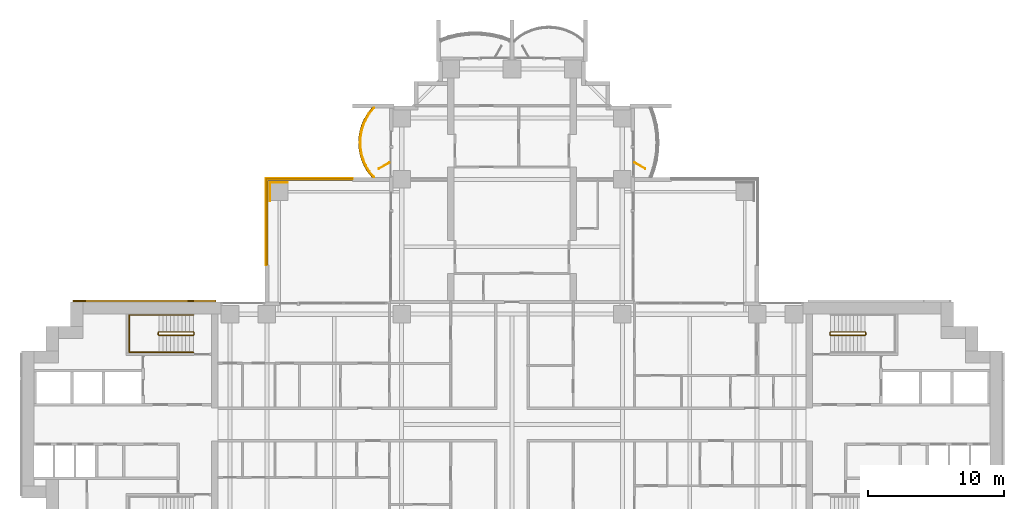
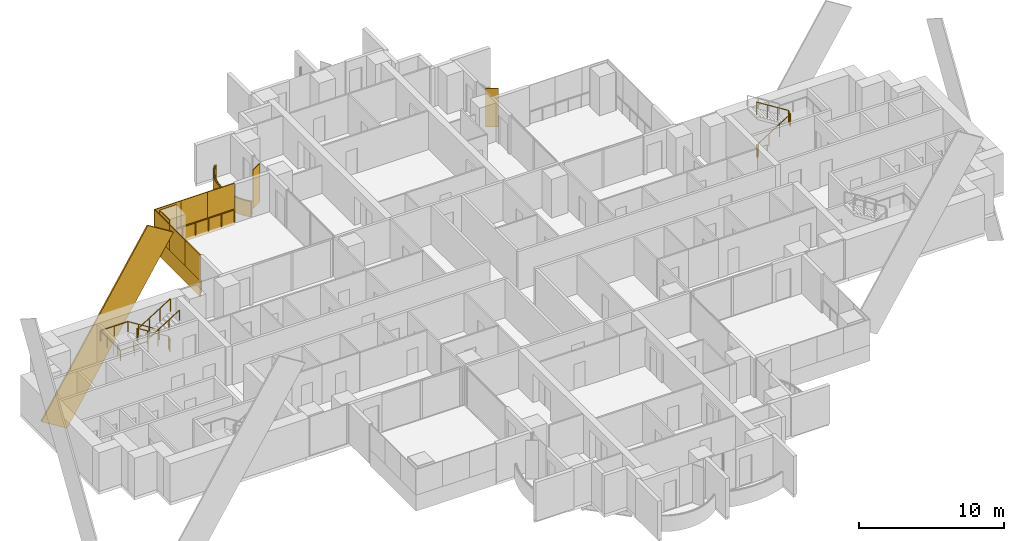
# One storey, part 20 of 21: 11 coverings, 5 railings, 2 shading devices.
"""IFC4 building model written with IfcOpenShell, lengths in metres."""

from ifc_helpers import new_model, si_unit, direction, frame, origin, origin_2d, place, context, subcontext, project, spatial, polyline, rectangle, outline, extrude, material, layer, layer_set, material_profile, profile_set, type_object, element, save


model = new_model("IFC4")

# Units and contexts
model_context = context("Model", 3, precision=1e-05, world=origin(), true_north=direction((0.0, 1.0)))
body_context = subcontext(model_context, "Body", "Model", "MODEL_VIEW")
ifc_project = project(units=[si_unit("LENGTHUNIT", "METRE"), si_unit("AREAUNIT", "SQUARE_METRE"), si_unit("VOLUMEUNIT", "CUBIC_METRE"), si_unit("PLANEANGLEUNIT", "RADIAN"), si_unit("MASSUNIT", "GRAM", prefix="KILO")], contexts=[model_context])

# Site, building, storey
site_placement = place(None, origin())
site = spatial("IfcSite", under=ifc_project, at=site_placement, CompositionType="ELEMENT")
building_placement = place(site_placement, origin())
building = spatial("IfcBuilding", under=site, at=building_placement, Name="Perihelion Cross Residences", CompositionType="ELEMENT")
storey_placement = place(building_placement, frame((0.0, 0.0, 75.0)))
storey = spatial("IfcBuildingStorey", under=building, at=storey_placement, Name="L16", CompositionType="ELEMENT", Elevation=75.0)

# Covering
ifc_material_1 = material(Name="Bronze anodised aluminium", Category="aluminium")
ifc_layer_1 = layer(ifc_material_1, 0.070068359375)
ifc_layer_set_1 = layer_set([ifc_layer_1], Name="Balcony fascia 1300")
covering_type_1 = type_object("IfcCoveringType", Name="Balcony fascia 1300", PredefinedType="CLADDING", material=ifc_layer_set_1)
covering_1_placement = place(storey_placement, frame((0.0, 0.0, -0.199951171875)))
element("IfcCovering", 1, at=covering_1_placement, inside=storey, type_object=covering_type_1, Name="Fascia BF1 L16 north side west bay 1", PredefinedType="CLADDING", context=body_context, shape_type="SweptSolid", body=[
    extrude(outline(polyline([(-10.59765625, 22.86474609375), (-10.85498046875, 22.431884765625), (-11.04248046875, 21.998779296875), (-11.170654296875, 21.56591796875), (-11.245361328125, 21.133056640625), (-11.27001953125, 20.699951171875), (-11.245361328125, 20.26708984375), (-11.170654296875, 19.833984375), (-11.04248046875, 19.401123046875), (-10.85498046875, 18.96826171875), (-10.59765625, 18.53515625), (-10.28955078125, 18.14990234375), (-10.199951171875, 18.14990234375), (-10.5400390625, 18.574951171875), (-10.792724609375, 19.0), (-10.9765625, 19.425048828125), (-11.1025390625, 19.85009765625), (-11.17578125, 20.27490234375), (-11.199951171875, 20.699951171875), (-11.17578125, 21.125), (-11.1025390625, 21.550048828125), (-10.9765625, 21.97509765625), (-10.792724609375, 22.39990234375), (-10.5400390625, 22.824951171875), (-10.199951171875, 23.25), (-10.28955078125, 23.25), (-10.59765625, 22.86474609375)])), origin(), (0.0, 0.0, 1.0), 1.300048828125),
])

# Railings
ifc_material_2 = material(Name="Bronze anodised aluminium", Category="aluminium")
railing_type_1 = type_object("IfcRailingType", Name="Balcony guard 1100", PredefinedType="GUARDRAIL", material=ifc_material_2)
railing_1_placement = place(storey_placement, frame((-10.139892578125, 23.22509765625, 0.0)))
element("IfcRailing", 2, at=railing_1_placement, inside=storey, type_object=railing_type_1, Name="Guard GU1 L16 north side west bay 1 balcony", PredefinedType="GUARDRAIL", context=body_context, shape_type="SweptSolid", body=[
    extrude(rectangle(XDim=0.048095703125, YDim=0.048095703125, at=origin_2d()), frame((0.0, 0.0, 1.076171875), z_axis=(-0.647607934281, -0.761973728849, 0.0), x_axis=(0.761973728849, -0.647607934281, 0.0)), (0.0, 0.0, 1.0), 0.525146484375),
    extrude(rectangle(XDim=0.048095703125, YDim=0.048095703125, at=origin_2d()), frame((-0.340087890625, -0.400146484375, 1.076171875), z_axis=(-0.511006381501, -0.859576918062, 0.0), x_axis=(0.859576918062, -0.511006381501, 0.0)), (0.0, 0.0, 1.0), 0.494384765625),
    extrude(rectangle(XDim=0.048095703125, YDim=0.048095703125, at=origin_2d()), frame((-0.5927734375, -0.8251953125, 1.076171875), z_axis=(-0.397607437634, -0.91755562531, 0.0), x_axis=(0.91755562531, -0.397607437634, 0.0)), (0.0, 0.0, 1.0), 0.462890625),
    extrude(rectangle(XDim=0.048095703125, YDim=0.048095703125, at=origin_2d()), frame((-0.77685546875, -1.25, 1.076171875), z_axis=(-0.283656975924, -0.958925815697, 0.0), x_axis=(0.958925815697, -0.283656975924, 0.0)), (0.0, 0.0, 1.0), 0.443359375),
    extrude(rectangle(XDim=0.048095703125, YDim=0.048095703125, at=origin_2d()), frame((-0.902587890625, -1.675048828125, 1.076171875), z_axis=(-0.17036177859, -0.985381583142, 0.0), x_axis=(0.985381583142, -0.17036177859, 0.0)), (0.0, 0.0, 1.0), 0.431396484375),
    extrude(rectangle(XDim=0.048095703125, YDim=0.048095703125, at=origin_2d()), frame((-0.97607421875, -2.10009765625, 1.076171875), z_axis=(-0.056200523353, -0.9984195016, 0.0), x_axis=(0.9984195016, -0.056200523353, 0.0)), (0.0, 0.0, 1.0), 0.42578125),
    extrude(rectangle(XDim=0.048095703125, YDim=0.048095703125, at=origin_2d()), frame((-1.0, -2.525146484375, 1.076171875), z_axis=(0.056200523353, -0.9984195016, 0.0), x_axis=(0.9984195016, 0.056200523353, 0.0)), (0.0, 0.0, 1.0), 0.42578125),
    extrude(rectangle(XDim=0.048095703125, YDim=0.048095703125, at=origin_2d()), frame((-0.97607421875, -2.9501953125, 1.076171875), z_axis=(0.170456843651, -0.985365142702, 0.0), x_axis=(0.985365142702, 0.170456843651, 0.0)), (0.0, 0.0, 1.0), 0.43115234375),
    extrude(rectangle(XDim=0.048095703125, YDim=0.048095703125, at=origin_2d()), frame((-0.902587890625, -3.375, 1.076171875), z_axis=(0.283656975924, -0.958925815697, 0.0), x_axis=(0.958925815697, 0.283656975924, 0.0)), (0.0, 0.0, 1.0), 0.443359375),
    extrude(rectangle(XDim=0.048095703125, YDim=0.048095703125, at=origin_2d()), frame((-0.77685546875, -3.800048828125, 1.076171875), z_axis=(0.397415137459, -0.917638931453, 0.0), x_axis=(0.917638931453, 0.397415137459, 0.0)), (0.0, 0.0, 1.0), 0.463134765625),
    extrude(rectangle(XDim=0.048095703125, YDim=0.048095703125, at=origin_2d()), frame((-0.5927734375, -4.22509765625, 1.076171875), z_axis=(0.511006381501, -0.859576918062, 0.0), x_axis=(0.859576918062, 0.511006381501, 0.0)), (0.0, 0.0, 1.0), 0.494384765625),
    extrude(rectangle(XDim=0.048095703125, YDim=0.048095703125, at=origin_2d()), frame((-0.340087890625, -4.650146484375, 1.076171875), z_axis=(0.647837396648, -0.761778647315, 0.0), x_axis=(0.761778647315, 0.647837396648, 0.0)), (0.0, 0.0, 1.0), 0.52490234375),
    extrude(rectangle(XDim=0.0419921875, YDim=0.0419921875, at=origin_2d()), origin(), (0.0, 0.0, 1.0), 1.052001953125),
    extrude(rectangle(XDim=0.0419921875, YDim=0.0419921875, at=origin_2d()), frame((-0.340087890625, -0.400146484375, 0.0)), (0.0, 0.0, 1.0), 1.052001953125),
    extrude(rectangle(XDim=0.0419921875, YDim=0.0419921875, at=origin_2d()), frame((-0.5927734375, -0.8251953125, 0.0)), (0.0, 0.0, 1.0), 1.052001953125),
    extrude(rectangle(XDim=0.0419921875, YDim=0.0419921875, at=origin_2d()), frame((-0.77685546875, -1.25, 0.0)), (0.0, 0.0, 1.0), 1.052001953125),
    extrude(rectangle(XDim=0.0419921875, YDim=0.0419921875, at=origin_2d()), frame((-0.902587890625, -1.675048828125, 0.0)), (0.0, 0.0, 1.0), 1.052001953125),
    extrude(rectangle(XDim=0.0419921875, YDim=0.0419921875, at=origin_2d()), frame((-0.97607421875, -2.10009765625, 0.0)), (0.0, 0.0, 1.0), 1.052001953125),
    extrude(rectangle(XDim=0.0419921875, YDim=0.0419921875, at=origin_2d()), frame((-1.0, -2.525146484375, 0.0)), (0.0, 0.0, 1.0), 1.052001953125),
    extrude(rectangle(XDim=0.0419921875, YDim=0.0419921875, at=origin_2d()), frame((-0.97607421875, -2.9501953125, 0.0)), (0.0, 0.0, 1.0), 1.052001953125),
    extrude(rectangle(XDim=0.0419921875, YDim=0.0419921875, at=origin_2d()), frame((-0.902587890625, -3.375, 0.0)), (0.0, 0.0, 1.0), 1.052001953125),
    extrude(rectangle(XDim=0.0419921875, YDim=0.0419921875, at=origin_2d()), frame((-0.77685546875, -3.800048828125, 0.0)), (0.0, 0.0, 1.0), 1.052001953125),
    extrude(rectangle(XDim=0.0419921875, YDim=0.0419921875, at=origin_2d()), frame((-0.5927734375, -4.22509765625, 0.0)), (0.0, 0.0, 1.0), 1.052001953125),
    extrude(rectangle(XDim=0.0419921875, YDim=0.0419921875, at=origin_2d()), frame((-0.340087890625, -4.650146484375, 0.0)), (0.0, 0.0, 1.0), 1.052001953125),
    extrude(rectangle(XDim=0.0419921875, YDim=0.0419921875, at=origin_2d()), frame((0.0, -5.050048828125, 0.0)), (0.0, 0.0, 1.0), 1.052001953125),
])
railing_2_placement = place(storey_placement, frame((-17.93994140625, 11.739990234375, 0.0)))
element("IfcRailing", 3, at=railing_2_placement, inside=storey, type_object=railing_type_1, Name="Guard GU1 L16 pocket north-west 1", PredefinedType="GUARDRAIL", context=body_context, shape_type="SweptSolid", body=[
    extrude(rectangle(XDim=0.048095703125, YDim=0.048095703125, at=origin_2d()), frame((0.0, 0.0, 1.076171875), z_axis=(0.0, 1.0, 0.0), x_axis=(-1.0, 0.0, 0.0)), (0.0, 0.0, 1.0), 6.199951171875),
    extrude(rectangle(XDim=0.048095703125, YDim=0.048095703125, at=origin_2d()), frame((0.0, 6.199951171875, 1.076171875), z_axis=(1.0, 0.0, 0.0), x_axis=(0.0, 1.0, 0.0)), (0.0, 0.0, 1.0), 6.199951171875),
    extrude(rectangle(XDim=0.0419921875, YDim=0.0419921875, at=origin_2d()), origin(), (0.0, 0.0, 1.0), 1.052001953125),
    extrude(rectangle(XDim=0.0419921875, YDim=0.0419921875, at=origin_2d()), frame((0.0, 1.033203125, 0.0)), (0.0, 0.0, 1.0), 1.052001953125),
    extrude(rectangle(XDim=0.0419921875, YDim=0.0419921875, at=origin_2d()), frame((0.0, 2.066650390625, 0.0)), (0.0, 0.0, 1.0), 1.052001953125),
    extrude(rectangle(XDim=0.0419921875, YDim=0.0419921875, at=origin_2d()), frame((0.0, 3.10009765625, 0.0)), (0.0, 0.0, 1.0), 1.052001953125),
    extrude(rectangle(XDim=0.0419921875, YDim=0.0419921875, at=origin_2d()), frame((0.0, 4.13330078125, 0.0)), (0.0, 0.0, 1.0), 1.052001953125),
    extrude(rectangle(XDim=0.0419921875, YDim=0.0419921875, at=origin_2d()), frame((0.0, 5.16650390625, 0.0)), (0.0, 0.0, 1.0), 1.052001953125),
    extrude(rectangle(XDim=0.0419921875, YDim=0.0419921875, at=origin_2d()), frame((0.0, 6.199951171875, 0.0)), (0.0, 0.0, 1.0), 1.052001953125),
    extrude(rectangle(XDim=0.0419921875, YDim=0.0419921875, at=origin_2d()), frame((1.033203125, 6.199951171875, 0.0)), (0.0, 0.0, 1.0), 1.052001953125),
    extrude(rectangle(XDim=0.0419921875, YDim=0.0419921875, at=origin_2d()), frame((2.066650390625, 6.199951171875, 0.0)), (0.0, 0.0, 1.0), 1.052001953125),
    extrude(rectangle(XDim=0.0419921875, YDim=0.0419921875, at=origin_2d()), frame((3.10009765625, 6.199951171875, 0.0)), (0.0, 0.0, 1.0), 1.052001953125),
    extrude(rectangle(XDim=0.0419921875, YDim=0.0419921875, at=origin_2d()), frame((4.13330078125, 6.199951171875, 0.0)), (0.0, 0.0, 1.0), 1.052001953125),
    extrude(rectangle(XDim=0.0419921875, YDim=0.0419921875, at=origin_2d()), frame((5.16650390625, 6.199951171875, 0.0)), (0.0, 0.0, 1.0), 1.052001953125),
    extrude(rectangle(XDim=0.0419921875, YDim=0.0419921875, at=origin_2d()), frame((6.199951171875, 6.199951171875, 0.0)), (0.0, 0.0, 1.0), 1.052001953125),
])

# Coverings
ifc_material_3 = material(Name="Bronze anodised aluminium", Category="aluminium")
ifc_material_profile = material_profile(ifc_material_3, rectangle(XDim=0.125, YDim=2.39990234375, at=origin_2d()), Name="Bronze cladding band 2400")
ifc_profile_set = profile_set([ifc_material_profile], Name="Bronze anodised aluminium")
covering_type_2 = type_object("IfcCoveringType", Name="Bronze cladding band 2400", PredefinedType="CLADDING", material=ifc_profile_set)
covering_2_placement = place(storey_placement, frame((-31.232421875, 9.0625, -4.805419921875), z_axis=(0.529924750763, 0.0, 0.848044667767), x_axis=(0.0, 1.0, 0.0)))
element("IfcCovering", 4, at=covering_2_placement, inside=storey, type_object=covering_type_2, Name="Core cladding band, west core", PredefinedType="CLADDING", context=body_context, shape_type="SweptSolid", body=[
    extrude(rectangle(XDim=0.125, YDim=2.39990234375, at=origin_2d()), origin(), (0.0, 0.0, 1.0), 15.9736328125),
])
ifc_material_4 = material(Name="Bronze anodised aluminium", Category="aluminium")
ifc_layer_2 = layer(ifc_material_4, 0.0400390625)
ifc_layer_set_2 = layer_set([ifc_layer_2], Name="Bronze column casing 40")
covering_type_3 = type_object("IfcCoveringType", Name="Bronze column casing 40", PredefinedType="CLADDING", material=ifc_layer_set_2)
covering_3_placement = place(storey_placement, frame((-17.77001953125, 17.10009765625, -0.25), z_axis=(0.0, 0.0, 1.0), x_axis=(1.0, 0.0, 0.0)))
element("IfcCovering", 5, at=covering_3_placement, inside=storey, type_object=covering_type_3, Name="Cladding CC1 L16 casing east-west no. 2", PredefinedType="CLADDING", context=body_context, shape_type="SweptSolid", body=[
    extrude(rectangle(XDim=0.0400390625, YDim=1.3798828125, at=origin_2d()), origin(), (0.0, 0.0, 1.0), 3.5),
])
covering_4_placement = place(storey_placement, frame((-17.10009765625, 17.77001953125, -0.25), z_axis=(0.0, 0.0, 1.0), x_axis=(1.0, 0.0, 0.0)))
element("IfcCovering", 6, at=covering_4_placement, inside=storey, type_object=covering_type_3, Name="Cladding CC1 L16 casing north-south no. 2", PredefinedType="CLADDING", context=body_context, shape_type="SweptSolid", body=[
    extrude(rectangle(XDim=1.300048828125, YDim=0.0400390625, at=origin_2d()), origin(), (0.0, 0.0, 1.0), 3.5),
])

# Shading devices
ifc_material_5 = material(Name="Bronze anodised aluminium", Category="aluminium")
ifc_layer_3 = layer(ifc_material_5, 0.050048828125)
ifc_layer_set_3 = layer_set([ifc_layer_3], Name="Bronze fin 900")
shading_device_type = type_object("IfcShadingDeviceType", Name="Bronze fin 900", PredefinedType="USERDEFINED", material=ifc_layer_set_3)
for number, where, z_axis, x_axis, name in (
    (7, (9.3896484375, 19.0, 0.0), (0.0, 0.0, 1.0), (0.866025403784, -0.5, 0.0), "Fin FN1 L16 north side east bay 2"),
    (8, (-9.3896484375, 19.0, 0.0), (0.0, 0.0, 1.0), (-0.866025403784, -0.5, 0.0), "Fin FN1 L16 north side west bay 1"),
):
    element("IfcShadingDevice", number, at=place(storey_placement, frame(where, z_axis=z_axis, x_axis=x_axis)), inside=storey, type_object=shading_device_type, Name=name, ObjectType="FIN", PredefinedType="USERDEFINED", context=body_context, shape_type="SweptSolid", body=[
        extrude(rectangle(XDim=0.89990234375, YDim=0.050048828125, at=origin_2d()), origin(), (0.0, 0.0, 1.0), 3.25),
    ])

# Coverings
ifc_material_6 = material(Name="Bronze anodised aluminium", Category="aluminium")
ifc_layer_4 = layer(ifc_material_6, 0.070068359375)
ifc_layer_set_4 = layer_set([ifc_layer_4], Name="Pocket fascia 1350")
covering_type_4 = type_object("IfcCoveringType", Name="Pocket fascia 1350", PredefinedType="CLADDING", material=ifc_layer_set_4)
covering_5_placement = place(storey_placement, frame((0.0, 0.0, -0.25)))
element("IfcCovering", 9, at=covering_5_placement, inside=storey, type_object=covering_type_4, Name="Fascia BF2 L16 pocket north-west 3", PredefinedType="CLADDING", context=body_context, shape_type="SweptSolid", body=[
    extrude(outline(polyline([(-18.070068359375, 18.070068359375), (-18.070068359375, 11.699951171875), (-18.0, 11.699951171875), (-18.0, 18.0), (-11.699951171875, 18.0), (-11.699951171875, 18.070068359375), (-18.070068359375, 18.070068359375)])), origin(), (0.0, 0.0, 1.0), 1.35009765625),
])
ifc_material_7 = material(Name="Bronze perforated aluminium", Category="aluminium")
ifc_layer_5 = layer(ifc_material_7, 0.070068359375)
ifc_layer_set_5 = layer_set([ifc_layer_5], Name="Pocket solar screen, bronze perforated")
covering_type_5 = type_object("IfcCoveringType", Name="Pocket solar screen, bronze perforated", PredefinedType="CLADDING", material=ifc_layer_set_5)
covering_6_placement = place(storey_placement, frame((0.0, 0.0, 1.10009765625)))
element("IfcCovering", 10, at=covering_6_placement, inside=storey, type_object=covering_type_5, Name="Solar screen PS1 L16 pocket north-west no. 1", PredefinedType="CLADDING", context=body_context, shape_type="SweptSolid", body=[
    extrude(outline(polyline([(-18.0, 11.699951171875), (-18.0, 13.800048828125), (-18.070068359375, 13.800048828125), (-18.070068359375, 11.699951171875), (-18.0, 11.699951171875)])), origin(), (0.0, 0.0, 1.0), 2.14990234375),
])
covering_7_placement = place(storey_placement, frame((0.0, 0.0, 1.10009765625)))
element("IfcCovering", 11, at=covering_7_placement, inside=storey, type_object=covering_type_5, Name="Solar screen PS1 L16 pocket north-west no. 2", PredefinedType="CLADDING", context=body_context, shape_type="SweptSolid", body=[
    extrude(outline(polyline([(-18.0, 13.800048828125), (-18.0, 15.89990234375), (-18.070068359375, 15.89990234375), (-18.070068359375, 13.800048828125), (-18.0, 13.800048828125)])), origin(), (0.0, 0.0, 1.0), 2.14990234375),
])
covering_8_placement = place(storey_placement, frame((0.0, 0.0, 1.10009765625)))
element("IfcCovering", 12, at=covering_8_placement, inside=storey, type_object=covering_type_5, Name="Solar screen PS1 L16 pocket north-west no. 3", PredefinedType="CLADDING", context=body_context, shape_type="SweptSolid", body=[
    extrude(outline(polyline([(-18.0, 15.89990234375), (-18.0, 18.0), (-18.070068359375, 18.0), (-18.070068359375, 15.89990234375), (-18.0, 15.89990234375)])), origin(), (0.0, 0.0, 1.0), 2.14990234375),
])
covering_9_placement = place(storey_placement, frame((0.0, 0.0, 1.10009765625)))
element("IfcCovering", 13, at=covering_9_placement, inside=storey, type_object=covering_type_5, Name="Solar screen PS1 L16 pocket north-west no. 4", PredefinedType="CLADDING", context=body_context, shape_type="SweptSolid", body=[
    extrude(outline(polyline([(-15.94677734375, 18.0), (-15.94677734375, 18.070068359375), (-18.070068359375, 18.070068359375), (-18.070068359375, 18.0), (-15.94677734375, 18.0)])), origin(), (0.0, 0.0, 1.0), 2.14990234375),
])
covering_10_placement = place(storey_placement, frame((0.0, 0.0, 1.10009765625)))
element("IfcCovering", 14, at=covering_10_placement, inside=storey, type_object=covering_type_5, Name="Solar screen PS1 L16 pocket north-west no. 5", PredefinedType="CLADDING", context=body_context, shape_type="SweptSolid", body=[
    extrude(outline(polyline([(-13.8232421875, 18.0), (-13.8232421875, 18.070068359375), (-15.94677734375, 18.070068359375), (-15.94677734375, 18.0), (-13.8232421875, 18.0)])), origin(), (0.0, 0.0, 1.0), 2.14990234375),
])
covering_11_placement = place(storey_placement, frame((0.0, 0.0, 1.10009765625)))
element("IfcCovering", 15, at=covering_11_placement, inside=storey, type_object=covering_type_5, Name="Solar screen PS1 L16 pocket north-west no. 6", PredefinedType="CLADDING", context=body_context, shape_type="SweptSolid", body=[
    extrude(outline(polyline([(-11.699951171875, 18.0), (-11.699951171875, 18.070068359375), (-13.8232421875, 18.070068359375), (-13.8232421875, 18.0), (-11.699951171875, 18.0)])), origin(), (0.0, 0.0, 1.0), 2.14990234375),
])

# Railings
ifc_material_8 = material(Name="Stainless steel", Category="steel")
railing_type_2 = type_object("IfcRailingType", Name="Stair guard 1100", PredefinedType="GUARDRAIL", material=ifc_material_8)
railing_3_placement = place(storey_placement, frame((23.35009765625, 6.75, 0.0)))
element("IfcRailing", 16, at=railing_3_placement, inside=storey, type_object=railing_type_2, Name="L16 ST-E1 stair guard 1", PredefinedType="GUARDRAIL", context=body_context, shape_type="SweptSolid", body=[
    extrude(rectangle(XDim=0.048095703125, YDim=0.048095703125, at=origin_2d()), frame((0.0, 0.0, 1.076171875), z_axis=(0.0, -1.0, 0.0), x_axis=(1.0, 0.0, 0.0)), (0.0, 0.0, 1.0), 0.14990234375),
    extrude(rectangle(XDim=0.048095703125, YDim=0.048095703125, at=origin_2d()), frame((0.0, -0.14990234375, 1.076171875), z_axis=(0.263862480399, -0.265155923931, 0.927399011991), x_axis=(0.708833529934, 0.705375805398, 0.0)), (0.0, 0.0, 1.0), 0.188720703125),
    extrude(rectangle(XDim=0.048095703125, YDim=0.048095703125, at=origin_2d()), frame((0.0498046875, -0.199951171875, 1.2509765625), z_axis=(0.848007534815, 0.0, 0.529984170421), x_axis=(0.0, 1.0, 0.0)), (0.0, 0.0, 1.0), 2.9716796875),
    extrude(rectangle(XDim=0.048095703125, YDim=0.048095703125, at=origin_2d()), frame((2.56982421875, -0.199951171875, 2.826171875), z_axis=(0.707106781187, 0.707106781187, 0.0), x_axis=(-0.707106781187, 0.707106781187, 0.0)), (0.0, 0.0, 1.0), 0.07080078125),
    extrude(rectangle(XDim=0.048095703125, YDim=0.048095703125, at=origin_2d()), frame((2.619873046875, -0.14990234375, 2.826171875), z_axis=(0.0, 1.0, 0.0), x_axis=(-1.0, 0.0, 0.0)), (0.0, 0.0, 1.0), 0.14990234375),
    extrude(rectangle(XDim=0.048095703125, YDim=0.048095703125, at=origin_2d()), frame((2.619873046875, 0.0, 2.826171875), z_axis=(-0.265065253269, 0.265065253269, 0.927081885822), x_axis=(-0.707106781187, -0.707106781187, 0.0)), (0.0, 0.0, 1.0), 0.188720703125),
    extrude(rectangle(XDim=0.048095703125, YDim=0.048095703125, at=origin_2d()), frame((2.56982421875, 0.050048828125, 3.0009765625), z_axis=(-0.848007534815, 0.0, 0.529984170421), x_axis=(0.0, -1.0, 0.0)), (0.0, 0.0, 1.0), 2.9716796875),
    extrude(rectangle(XDim=0.0419921875, YDim=0.0419921875, at=origin_2d()), origin(), (0.0, 0.0, 1.0), 1.052001953125),
    extrude(rectangle(XDim=0.0419921875, YDim=0.0419921875, at=origin_2d()), frame((0.0, -0.14990234375, 0.0)), (0.0, 0.0, 1.0), 1.052001953125),
    extrude(rectangle(XDim=0.0419921875, YDim=0.0419921875, at=origin_2d()), frame((0.0498046875, -0.199951171875, 0.175048828125)), (0.0, 0.0, 1.0), 1.052001953125),
    extrude(rectangle(XDim=0.0419921875, YDim=0.0419921875, at=origin_2d()), frame((0.889892578125, -0.199951171875, 0.699951171875)), (0.0, 0.0, 1.0), 1.052001953125),
    extrude(rectangle(XDim=0.0419921875, YDim=0.0419921875, at=origin_2d()), frame((1.729736328125, -0.199951171875, 1.22509765625)), (0.0, 0.0, 1.0), 1.052001953125),
    extrude(rectangle(XDim=0.0419921875, YDim=0.0419921875, at=origin_2d()), frame((2.56982421875, -0.199951171875, 1.75)), (0.0, 0.0, 1.0), 1.052001953125),
    extrude(rectangle(XDim=0.0419921875, YDim=0.0419921875, at=origin_2d()), frame((2.619873046875, -0.14990234375, 1.75)), (0.0, 0.0, 1.0), 1.052001953125),
    extrude(rectangle(XDim=0.0419921875, YDim=0.0419921875, at=origin_2d()), frame((2.619873046875, 0.0, 1.75)), (0.0, 0.0, 1.0), 1.052001953125),
    extrude(rectangle(XDim=0.0419921875, YDim=0.0419921875, at=origin_2d()), frame((2.56982421875, 0.050048828125, 1.925048828125)), (0.0, 0.0, 1.0), 1.052001953125),
    extrude(rectangle(XDim=0.0419921875, YDim=0.0419921875, at=origin_2d()), frame((1.729736328125, 0.050048828125, 2.449951171875)), (0.0, 0.0, 1.0), 1.052001953125),
    extrude(rectangle(XDim=0.0419921875, YDim=0.0419921875, at=origin_2d()), frame((0.889892578125, 0.050048828125, 2.97509765625)), (0.0, 0.0, 1.0), 1.052001953125),
    extrude(rectangle(XDim=0.0419921875, YDim=0.0419921875, at=origin_2d()), frame((0.0498046875, 0.050048828125, 3.5)), (0.0, 0.0, 1.0), 1.052001953125),
])
railing_4_placement = place(storey_placement, frame((-23.35009765625, 6.60009765625, 0.0)))
element("IfcRailing", 17, at=railing_4_placement, inside=storey, type_object=railing_type_2, Name="L16 ST-W1 stair guard 1", PredefinedType="GUARDRAIL", context=body_context, shape_type="SweptSolid", body=[
    extrude(rectangle(XDim=0.048095703125, YDim=0.048095703125, at=origin_2d()), frame((0.0, 0.0, 1.076171875), z_axis=(0.0, 1.0, 0.0), x_axis=(-1.0, 0.0, 0.0)), (0.0, 0.0, 1.0), 0.14990234375),
    extrude(rectangle(XDim=0.048095703125, YDim=0.048095703125, at=origin_2d()), frame((0.0, 0.14990234375, 1.076171875), z_axis=(-0.263862480399, 0.265155923931, 0.927399011991), x_axis=(-0.708833529934, -0.705375805398, 0.0)), (0.0, 0.0, 1.0), 0.188720703125),
    extrude(rectangle(XDim=0.048095703125, YDim=0.048095703125, at=origin_2d()), frame((-0.0498046875, 0.199951171875, 1.2509765625), z_axis=(-0.848007534815, 0.0, 0.529984170421), x_axis=(0.0, -1.0, 0.0)), (0.0, 0.0, 1.0), 2.9716796875),
    extrude(rectangle(XDim=0.048095703125, YDim=0.048095703125, at=origin_2d()), frame((-2.56982421875, 0.199951171875, 2.826171875), z_axis=(-0.707106781187, -0.707106781187, 0.0), x_axis=(0.707106781187, -0.707106781187, 0.0)), (0.0, 0.0, 1.0), 0.07080078125),
    extrude(rectangle(XDim=0.048095703125, YDim=0.048095703125, at=origin_2d()), frame((-2.619873046875, 0.14990234375, 2.826171875), z_axis=(0.0, -1.0, 0.0), x_axis=(1.0, 0.0, 0.0)), (0.0, 0.0, 1.0), 0.14990234375),
    extrude(rectangle(XDim=0.048095703125, YDim=0.048095703125, at=origin_2d()), frame((-2.619873046875, 0.0, 2.826171875), z_axis=(0.265065253269, -0.265065253269, 0.927081885822), x_axis=(0.707106781187, 0.707106781187, 0.0)), (0.0, 0.0, 1.0), 0.188720703125),
    extrude(rectangle(XDim=0.048095703125, YDim=0.048095703125, at=origin_2d()), frame((-2.56982421875, -0.050048828125, 3.0009765625), z_axis=(0.848007534815, 0.0, 0.529984170421), x_axis=(0.0, 1.0, 0.0)), (0.0, 0.0, 1.0), 2.9716796875),
    extrude(rectangle(XDim=0.0419921875, YDim=0.0419921875, at=origin_2d()), origin(), (0.0, 0.0, 1.0), 1.052001953125),
    extrude(rectangle(XDim=0.0419921875, YDim=0.0419921875, at=origin_2d()), frame((0.0, 0.14990234375, 0.0)), (0.0, 0.0, 1.0), 1.052001953125),
    extrude(rectangle(XDim=0.0419921875, YDim=0.0419921875, at=origin_2d()), frame((-0.0498046875, 0.199951171875, 0.175048828125)), (0.0, 0.0, 1.0), 1.052001953125),
    extrude(rectangle(XDim=0.0419921875, YDim=0.0419921875, at=origin_2d()), frame((-0.889892578125, 0.199951171875, 0.699951171875)), (0.0, 0.0, 1.0), 1.052001953125),
    extrude(rectangle(XDim=0.0419921875, YDim=0.0419921875, at=origin_2d()), frame((-1.729736328125, 0.199951171875, 1.22509765625)), (0.0, 0.0, 1.0), 1.052001953125),
    extrude(rectangle(XDim=0.0419921875, YDim=0.0419921875, at=origin_2d()), frame((-2.56982421875, 0.199951171875, 1.75)), (0.0, 0.0, 1.0), 1.052001953125),
    extrude(rectangle(XDim=0.0419921875, YDim=0.0419921875, at=origin_2d()), frame((-2.619873046875, 0.14990234375, 1.75)), (0.0, 0.0, 1.0), 1.052001953125),
    extrude(rectangle(XDim=0.0419921875, YDim=0.0419921875, at=origin_2d()), frame((-2.619873046875, 0.0, 1.75)), (0.0, 0.0, 1.0), 1.052001953125),
    extrude(rectangle(XDim=0.0419921875, YDim=0.0419921875, at=origin_2d()), frame((-2.56982421875, -0.050048828125, 1.925048828125)), (0.0, 0.0, 1.0), 1.052001953125),
    extrude(rectangle(XDim=0.0419921875, YDim=0.0419921875, at=origin_2d()), frame((-1.729736328125, -0.050048828125, 2.449951171875)), (0.0, 0.0, 1.0), 1.052001953125),
    extrude(rectangle(XDim=0.0419921875, YDim=0.0419921875, at=origin_2d()), frame((-0.889892578125, -0.050048828125, 2.97509765625)), (0.0, 0.0, 1.0), 1.052001953125),
    extrude(rectangle(XDim=0.0419921875, YDim=0.0419921875, at=origin_2d()), frame((-0.0498046875, -0.050048828125, 3.5)), (0.0, 0.0, 1.0), 1.052001953125),
])
ifc_material_9 = material(Name="Stainless steel", Category="steel")
railing_type_3 = type_object("IfcRailingType", Name="Stair handrail 900", PredefinedType="HANDRAIL", material=ifc_material_9)
railing_5_placement = place(storey_placement, frame((-23.39990234375, 8.050048828125, 0.175048828125)))
element("IfcRailing", 18, at=railing_5_placement, inside=storey, type_object=railing_type_3, Name="L16 ST-W1 stair handrail 1", PredefinedType="HANDRAIL", context=body_context, shape_type="SweptSolid", body=[
    extrude(rectangle(XDim=0.048095703125, YDim=0.048095703125, at=origin_2d()), frame((0.0, 0.0, 0.8759765625), z_axis=(-0.848007534815, 0.0, 0.529984170421), x_axis=(0.0, -1.0, 0.0)), (0.0, 0.0, 1.0), 2.9716796875),
    extrude(rectangle(XDim=0.048095703125, YDim=0.048095703125, at=origin_2d()), frame((-2.52001953125, 0.0, 2.45068359375), z_axis=(-1.0, 0.0, 0.0), x_axis=(0.0, -1.0, 0.0)), (0.0, 0.0, 1.0), 2.18017578125),
    extrude(rectangle(XDim=0.048095703125, YDim=0.048095703125, at=origin_2d()), frame((-4.7001953125, 0.0, 2.45068359375), z_axis=(0.0, -1.0, 0.0), x_axis=(1.0, 0.0, 0.0)), (0.0, 0.0, 1.0), 2.75),
    extrude(rectangle(XDim=0.048095703125, YDim=0.048095703125, at=origin_2d()), frame((-4.7001953125, -2.75, 2.45068359375), z_axis=(1.0, 0.0, 0.0), x_axis=(0.0, 1.0, 0.0)), (0.0, 0.0, 1.0), 2.18017578125),
    extrude(rectangle(XDim=0.048095703125, YDim=0.048095703125, at=origin_2d()), frame((-2.52001953125, -2.75, 2.45068359375), z_axis=(0.0, 0.0, 1.0), x_axis=(1.0, 0.0, 0.0)), (0.0, 0.0, 1.0), 0.175048828125),
    extrude(rectangle(XDim=0.048095703125, YDim=0.048095703125, at=origin_2d()), frame((-2.52001953125, -2.75, 2.6259765625), z_axis=(0.848007534815, 0.0, 0.529984170421), x_axis=(0.0, 1.0, 0.0)), (0.0, 0.0, 1.0), 2.9716796875),
    extrude(rectangle(XDim=0.0419921875, YDim=0.0419921875, at=origin_2d()), origin(), (0.0, 0.0, 1.0), 0.851806640625),
    extrude(rectangle(XDim=0.0419921875, YDim=0.0419921875, at=origin_2d()), frame((-0.840087890625, 0.0, 0.52490234375)), (0.0, 0.0, 1.0), 0.851806640625),
    extrude(rectangle(XDim=0.0419921875, YDim=0.0419921875, at=origin_2d()), frame((-1.679931640625, 0.0, 1.050048828125)), (0.0, 0.0, 1.0), 0.851806640625),
    extrude(rectangle(XDim=0.0419921875, YDim=0.0419921875, at=origin_2d()), frame((-2.52001953125, 0.0, 1.574951171875)), (0.0, 0.0, 1.0), 0.851806640625),
    extrude(rectangle(XDim=0.0419921875, YDim=0.0419921875, at=origin_2d()), frame((-3.610107421875, 0.0, 1.574951171875)), (0.0, 0.0, 1.0), 0.851806640625),
    extrude(rectangle(XDim=0.0419921875, YDim=0.0419921875, at=origin_2d()), frame((-4.7001953125, 0.0, 1.574951171875)), (0.0, 0.0, 1.0), 0.851806640625),
    extrude(rectangle(XDim=0.0419921875, YDim=0.0419921875, at=origin_2d()), frame((-4.7001953125, -0.916748046875, 1.574951171875)), (0.0, 0.0, 1.0), 0.851806640625),
    extrude(rectangle(XDim=0.0419921875, YDim=0.0419921875, at=origin_2d()), frame((-4.7001953125, -1.833251953125, 1.574951171875)), (0.0, 0.0, 1.0), 0.851806640625),
    extrude(rectangle(XDim=0.0419921875, YDim=0.0419921875, at=origin_2d()), frame((-4.7001953125, -2.75, 1.574951171875)), (0.0, 0.0, 1.0), 0.851806640625),
    extrude(rectangle(XDim=0.0419921875, YDim=0.0419921875, at=origin_2d()), frame((-3.610107421875, -2.75, 1.574951171875)), (0.0, 0.0, 1.0), 0.851806640625),
    extrude(rectangle(XDim=0.0419921875, YDim=0.0419921875, at=origin_2d()), frame((-2.52001953125, -2.75, 1.574951171875)), (0.0, 0.0, 1.0), 0.851806640625),
    extrude(rectangle(XDim=0.0419921875, YDim=0.0419921875, at=origin_2d()), frame((-2.52001953125, -2.75, 1.75)), (0.0, 0.0, 1.0), 0.851806640625),
    extrude(rectangle(XDim=0.0419921875, YDim=0.0419921875, at=origin_2d()), frame((-1.679931640625, -2.75, 2.27490234375)), (0.0, 0.0, 1.0), 0.851806640625),
    extrude(rectangle(XDim=0.0419921875, YDim=0.0419921875, at=origin_2d()), frame((-0.840087890625, -2.75, 2.800048828125)), (0.0, 0.0, 1.0), 0.851806640625),
    extrude(rectangle(XDim=0.0419921875, YDim=0.0419921875, at=origin_2d()), frame((0.0, -2.75, 3.324951171875)), (0.0, 0.0, 1.0), 0.851806640625),
])

save(model, "model.ifc")
